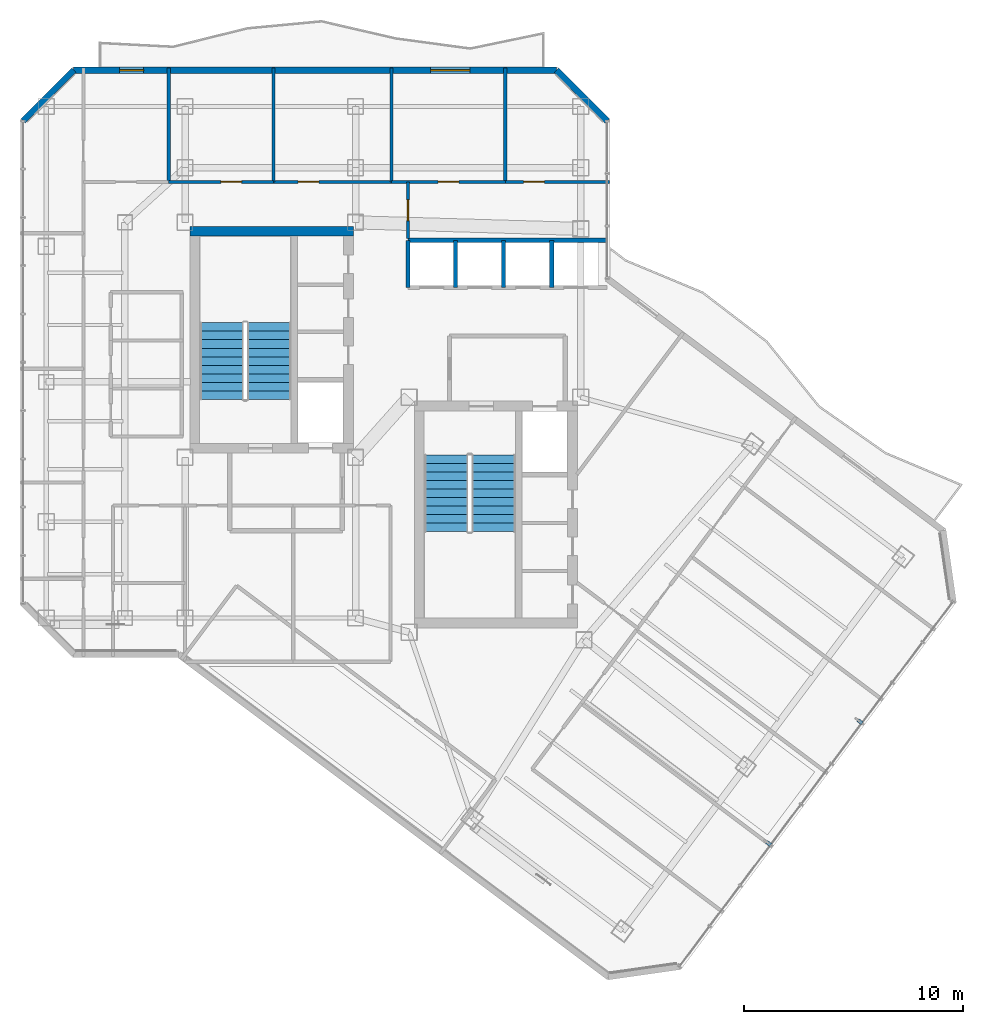
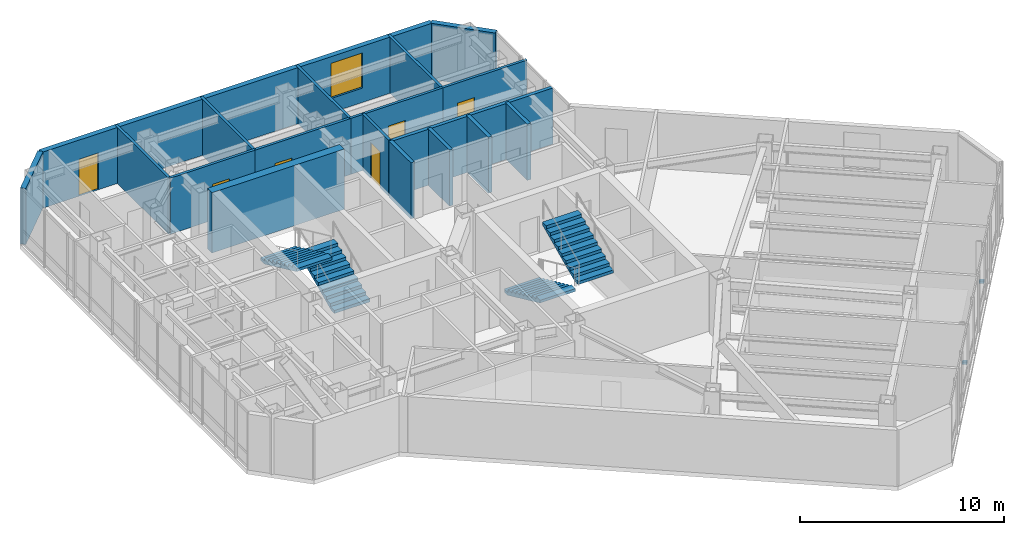
# One storey, part 22 of 26: 18 walls, 6 doors, 4 stair flights, 2 discrete accessories, 1 window, 7 openings, 2 elements without a shape of their own.
"""IFC4 building model written with IfcOpenShell, lengths in metres."""

from ifc_helpers import new_model, si_unit, direction, frame, frame_2d, origin, origin_2d, place, context, subcontext, project, spatial, polyline, rectangle, outline, extrude, material, layer, layer_set, type_object, element, fill, aggregate, save


model = new_model("IFC4")

# Units and contexts
model_context = context("Model", 3, precision=1e-05, world=origin(), true_north=direction((0.0, 1.0)))
body_context = subcontext(model_context, "Body", "Model", "MODEL_VIEW")
ifc_project = project(units=[si_unit("LENGTHUNIT", "METRE"), si_unit("AREAUNIT", "SQUARE_METRE"), si_unit("VOLUMEUNIT", "CUBIC_METRE"), si_unit("PLANEANGLEUNIT", "RADIAN"), si_unit("MASSUNIT", "GRAM", prefix="KILO")], contexts=[model_context])

# Site, building, storey
site_placement = place(None, origin())
site = spatial("IfcSite", under=ifc_project, at=site_placement, CompositionType="ELEMENT")
building_placement = place(site_placement, origin())
building = spatial("IfcBuilding", under=site, at=building_placement, Name="Hatsunagi Terrace Concourse", CompositionType="ELEMENT")
storey_placement = place(building_placement, frame((0.0, 0.0, 195.14990234375)))
storey = spatial("IfcBuildingStorey", under=building, at=storey_placement, Name="L51", CompositionType="ELEMENT", Elevation=195.14990234375)

# Walls
ifc_material_1 = material(Name="Concrete Fc42", Category="concrete")
ifc_layer_1 = layer(ifc_material_1, 0.449951171875)
ifc_layer_set_1 = layer_set([ifc_layer_1], Name="CoreShearWall_Fc42_450")
wall_type_1 = type_object("IfcWallType", Name="CoreShearWall_Fc42_450", PredefinedType="SHEAR", material=ifc_layer_set_1)
wall_1_placement = place(storey_placement, frame((25.77001953125, 42.89501953125, 0.0), z_axis=(0.0, 0.0, 1.0), x_axis=(1.0, 0.0, 0.0)))
element("IfcWall", 1, at=wall_1_placement, inside=storey, type_object=wall_type_1, Name="Core A Shear Wall N L51", PredefinedType="SHEAR", context=body_context, shape_type="SweptSolid", body=[
    extrude(rectangle(XDim=7.47998046875, YDim=0.449951171875, at=frame_2d((3.739990234375, 0.0))), origin(), (0.0, 0.0, 1.0), 3.60009765625),
])
ifc_material_2 = material(Name="Acoustic mineral board", Category="gypsum")
ifc_layer_2 = layer(ifc_material_2, 0.14990234375)
ifc_layer_set_2 = layer_set([ifc_layer_2], Name="PartitionWall_EI60_150")
wall_type_2 = type_object("IfcWallType", Name="PartitionWall_EI60_150", PredefinedType="PARTITIONING", material=ifc_layer_set_2)
wall_2_placement = place(storey_placement, frame((24.800048828125, 45.14990234375, 0.0), z_axis=(0.0, 0.0, 1.0), x_axis=(0.0, 1.0, 0.0)))
element("IfcWall", 2, at=wall_2_placement, inside=storey, type_object=wall_type_2, Name="Interior Partition IW-L51-044", PredefinedType="PARTITIONING", context=body_context, shape_type="SweptSolid", body=[
    extrude(rectangle(XDim=5.210205078125, YDim=0.14990234375, at=frame_2d((2.60498046875, 0.0))), origin(), (0.0, 0.0, 1.0), 3.35009765625),
])

# Wall, opening, door
wall_3_placement = place(storey_placement, frame((24.800048828125, 45.14990234375, 0.0), z_axis=(0.0, 0.0, 1.0), x_axis=(1.0, 0.0, 0.0)))
wall_3 = element("IfcWall", 3, at=wall_3_placement, inside=storey, type_object=wall_type_2, Name="Interior Partition IW-L51-045", PredefinedType="PARTITIONING", context=body_context, shape_type="SweptSolid", body=[
    extrude(rectangle(XDim=4.800048828125, YDim=0.14990234375, at=frame_2d((2.39990234375, 0.0))), origin(), (0.0, 0.0, 1.0), 3.35009765625),
])
opening_1_placement = place(wall_3_placement, frame((2.388916015625, 0.0, 0.0)))
opening_1 = element("IfcOpeningElement", 4, at=opening_1_placement, cuts=wall_3, Name="Opening DR-095", PredefinedType="OPENING", context=body_context, shape_type="SweptSolid", body=[
    extrude(rectangle(XDim=0.949951171875, YDim=2.14990234375, at=frame_2d((0.47509765625, 1.074951171875))), frame((0.0, 0.0849609375, 0.0), z_axis=(0.0, -1.0, 0.0), x_axis=(1.0, 0.0, 0.0)), (0.0, 0.0, 1.0), 0.169921875),
])
ifc_material_3 = material(Name="Hardwood timber", Category="wood")
door_type_1 = type_object("IfcDoorType", Name="InteriorSuiteDoor_EI30_950", OperationType="NOTDEFINED", PredefinedType="DOOR", material=ifc_material_3)
door_1_placement = place(opening_1_placement, origin())
door_1 = element("IfcDoor", 5, at=door_1_placement, inside=storey, type_object=door_type_1, Name="Breakout Pantry L51-ON2 Door", OperationType="SINGLE_SWING_RIGHT", OverallHeight=2.14990234375, OverallWidth=0.949951171875, PredefinedType="DOOR", context=body_context, shape_type="SweptSolid", body=[
    extrude(rectangle(XDim=0.949951171875, YDim=2.14990234375, at=frame_2d((0.47509765625, 1.074951171875))), frame((0.0, 0.02490234375, 0.0), z_axis=(0.0, -1.0, 0.0), x_axis=(1.0, 0.0, 0.0)), (0.0, 0.0, 1.0), 0.050048828125),
])
fill(opening_1, door_1)

# Wall
wall_4_placement = place(storey_placement, frame((29.60009765625, 45.14990234375, 0.0), z_axis=(0.0, 0.0, 1.0), x_axis=(0.0, 1.0, 0.0)))
element("IfcWall", 6, at=wall_4_placement, inside=storey, type_object=wall_type_2, Name="Interior Partition IW-L51-046", PredefinedType="PARTITIONING", context=body_context, shape_type="SweptSolid", body=[
    extrude(rectangle(XDim=5.210205078125, YDim=0.14990234375, at=frame_2d((2.60498046875, 0.0))), origin(), (0.0, 0.0, 1.0), 3.35009765625),
])

# Wall, opening, door
wall_5_placement = place(storey_placement, frame((29.60009765625, 45.14990234375, 0.0), z_axis=(0.0, 0.0, 1.0), x_axis=(1.0, 0.0, 0.0)))
wall_5 = element("IfcWall", 7, at=wall_5_placement, inside=storey, type_object=wall_type_2, Name="Interior Partition IW-L51-047", PredefinedType="PARTITIONING", context=body_context, shape_type="SweptSolid", body=[
    extrude(rectangle(XDim=5.39990234375, YDim=0.14990234375, at=frame_2d((2.699951171875, 0.0))), origin(), (0.0, 0.0, 1.0), 3.35009765625),
])
opening_2_placement = place(wall_5_placement, frame((1.117919921875, 0.0, 0.0)))
opening_2 = element("IfcOpeningElement", 8, at=opening_2_placement, cuts=wall_5, Name="Opening DR-095", PredefinedType="OPENING", context=body_context, shape_type="SweptSolid", body=[
    extrude(rectangle(XDim=0.949951171875, YDim=2.14990234375, at=frame_2d((0.47509765625, 1.074951171875))), frame((0.0, 0.0849609375, 0.0), z_axis=(0.0, -1.0, 0.0), x_axis=(1.0, 0.0, 0.0)), (0.0, 0.0, 1.0), 0.169921875),
])
door_2_placement = place(opening_2_placement, origin())
door_2 = element("IfcDoor", 9, at=door_2_placement, inside=storey, type_object=door_type_1, Name="Executive Briefing Room L51-ON3 Door", OperationType="SINGLE_SWING_RIGHT", OverallHeight=2.14990234375, OverallWidth=0.949951171875, PredefinedType="DOOR", context=body_context, shape_type="SweptSolid", body=[
    extrude(rectangle(XDim=0.949951171875, YDim=2.14990234375, at=frame_2d((0.47509765625, 1.074951171875))), frame((0.0, 0.02490234375, 0.0), z_axis=(0.0, -1.0, 0.0), x_axis=(1.0, 0.0, 0.0)), (0.0, 0.0, 1.0), 0.050048828125),
])
fill(opening_2, door_2)

# Wall
wall_6_placement = place(storey_placement, frame((35.0, 45.14990234375, 0.0), z_axis=(0.0, 0.0, 1.0), x_axis=(0.0, 1.0, 0.0)))
element("IfcWall", 10, at=wall_6_placement, inside=storey, type_object=wall_type_2, Name="Interior Partition IW-L51-048", PredefinedType="PARTITIONING", context=body_context, shape_type="SweptSolid", body=[
    extrude(rectangle(XDim=5.210205078125, YDim=0.14990234375, at=frame_2d((2.60498046875, 0.0))), origin(), (0.0, 0.0, 1.0), 3.35009765625),
])

# Wall, opening, door
wall_7_placement = place(storey_placement, frame((35.0, 45.14990234375, 0.0), z_axis=(0.0, 0.0, 1.0), x_axis=(1.0, 0.0, 0.0)))
wall_7 = element("IfcWall", 11, at=wall_7_placement, inside=storey, type_object=wall_type_2, Name="Interior Partition IW-L51-049", PredefinedType="PARTITIONING", context=body_context, shape_type="SweptSolid", body=[
    extrude(rectangle(XDim=5.199951171875, YDim=0.14990234375, at=frame_2d((2.60009765625, 0.0))), origin(), (0.0, 0.0, 1.0), 3.35009765625),
])
opening_3_placement = place(wall_7_placement, frame((2.125, 0.0, 0.0)))
opening_3 = element("IfcOpeningElement", 12, at=opening_3_placement, cuts=wall_7, Name="Opening DR-095", PredefinedType="OPENING", context=body_context, shape_type="SweptSolid", body=[
    extrude(rectangle(XDim=0.949951171875, YDim=2.14990234375, at=frame_2d((0.47509765625, 1.074951171875))), frame((0.0, 0.0849609375, 0.0), z_axis=(0.0, -1.0, 0.0), x_axis=(1.0, 0.0, 0.0)), (0.0, 0.0, 1.0), 0.169921875),
])
door_3_placement = place(opening_3_placement, origin())
door_3 = element("IfcDoor", 13, at=door_3_placement, inside=storey, type_object=door_type_1, Name="Breakout Pantry L51-ON4 Door", OperationType="SINGLE_SWING_RIGHT", OverallHeight=2.14990234375, OverallWidth=0.949951171875, PredefinedType="DOOR", context=body_context, shape_type="SweptSolid", body=[
    extrude(rectangle(XDim=0.949951171875, YDim=2.14990234375, at=frame_2d((0.47509765625, 1.074951171875))), frame((0.0, 0.02490234375, 0.0), z_axis=(0.0, -1.0, 0.0), x_axis=(1.0, 0.0, 0.0)), (0.0, 0.0, 1.0), 0.050048828125),
])
fill(opening_3, door_3)

# Wall
wall_8_placement = place(storey_placement, frame((40.199951171875, 45.14990234375, 0.0), z_axis=(0.0, 0.0, 1.0), x_axis=(0.0, 1.0, 0.0)))
element("IfcWall", 14, at=wall_8_placement, inside=storey, type_object=wall_type_2, Name="Interior Partition IW-L51-050", PredefinedType="PARTITIONING", context=body_context, shape_type="SweptSolid", body=[
    extrude(rectangle(XDim=5.210205078125, YDim=0.14990234375, at=frame_2d((2.60498046875, 0.0))), origin(), (0.0, 0.0, 1.0), 3.35009765625),
])

# Wall, opening, door
wall_9_placement = place(storey_placement, frame((40.199951171875, 45.14990234375, 0.0), z_axis=(0.0, 0.0, 1.0), x_axis=(1.0, 0.0, 0.0)))
wall_9 = element("IfcWall", 15, at=wall_9_placement, inside=storey, type_object=wall_type_2, Name="Interior Partition IW-L51-051", PredefinedType="PARTITIONING", context=body_context, shape_type="SweptSolid", body=[
    extrude(rectangle(XDim=4.760009765625, YDim=0.14990234375, at=frame_2d((2.3798828125, 0.0))), origin(), (0.0, 0.0, 1.0), 3.35009765625),
])
opening_4_placement = place(wall_9_placement, frame((0.8369140625, 0.0, 0.0)))
opening_4 = element("IfcOpeningElement", 16, at=opening_4_placement, cuts=wall_9, Name="Opening DR-095", PredefinedType="OPENING", context=body_context, shape_type="SweptSolid", body=[
    extrude(rectangle(XDim=0.949951171875, YDim=2.14990234375, at=frame_2d((0.47509765625, 1.074951171875))), frame((0.0, 0.0849609375, 0.0), z_axis=(0.0, -1.0, 0.0), x_axis=(1.0, 0.0, 0.0)), (0.0, 0.0, 1.0), 0.169921875),
])
door_4_placement = place(opening_4_placement, origin())
door_4 = element("IfcDoor", 17, at=door_4_placement, inside=storey, type_object=door_type_1, Name="Executive Briefing Room L51-ON5 Door", OperationType="SINGLE_SWING_RIGHT", OverallHeight=2.14990234375, OverallWidth=0.949951171875, PredefinedType="DOOR", context=body_context, shape_type="SweptSolid", body=[
    extrude(rectangle(XDim=0.949951171875, YDim=2.14990234375, at=frame_2d((0.47509765625, 1.074951171875))), frame((0.0, 0.02490234375, 0.0), z_axis=(0.0, -1.0, 0.0), x_axis=(1.0, 0.0, 0.0)), (0.0, 0.0, 1.0), 0.050048828125),
])
fill(opening_4, door_4)

wall_10_placement = place(storey_placement, frame((35.75, 42.550048828125, 0.0), z_axis=(0.0, 0.0, 1.0), x_axis=(0.0, 1.0, 0.0)))
wall_10 = element("IfcWall", 18, at=wall_10_placement, inside=storey, type_object=wall_type_2, Name="Interior Partition IW-L51-068", PredefinedType="PARTITIONING", context=body_context, shape_type="SweptSolid", body=[
    extrude(rectangle(XDim=2.599853515625, YDim=0.14990234375, at=frame_2d((1.2998046875, 0.0))), origin(), (0.0, 0.0, 1.0), 3.35009765625),
])
opening_5_placement = place(wall_10_placement, frame((0.824951171875, 0.0, 0.0)))
opening_5 = element("IfcOpeningElement", 19, at=opening_5_placement, cuts=wall_10, Name="Opening DR-095", PredefinedType="OPENING", context=body_context, shape_type="SweptSolid", body=[
    extrude(rectangle(XDim=0.949951171875, YDim=2.14990234375, at=frame_2d((0.47509765625, 1.074951171875))), frame((0.0, 0.0849609375, 0.0), z_axis=(0.0, -1.0, 0.0), x_axis=(1.0, 0.0, 0.0)), (0.0, 0.0, 1.0), 0.169921875),
])
door_5_placement = place(opening_5_placement, origin())
door_5 = element("IfcDoor", 20, at=door_5_placement, inside=storey, type_object=door_type_1, Name="Executive Briefing Room L51-ONEB Door", OperationType="SINGLE_SWING_RIGHT", OverallHeight=2.14990234375, OverallWidth=0.949951171875, PredefinedType="DOOR", context=body_context, shape_type="SweptSolid", body=[
    extrude(rectangle(XDim=0.949951171875, YDim=2.14990234375, at=frame_2d((0.47509765625, 1.074951171875))), frame((0.0, 0.02490234375, 0.0), z_axis=(0.0, -1.0, 0.0), x_axis=(1.0, 0.0, 0.0)), (0.0, 0.0, 1.0), 0.050048828125),
])
fill(opening_5, door_5)

# Walls
ifc_material_4 = material(Name="Acoustic mineral board", Category="gypsum")
ifc_layer_3 = layer(ifc_material_4, 0.199951171875)
ifc_layer_set_3 = layer_set([ifc_layer_3], Name="ShaftWall_EI120_200")
wall_type_3 = type_object("IfcWallType", Name="ShaftWall_EI120_200", PredefinedType="STANDARD", material=ifc_layer_set_3)
wall_11_placement = place(storey_placement, frame((35.75, 42.47998046875, 0.0), z_axis=(0.0, 0.0, 1.0), x_axis=(1.0, 0.0, 0.0)))
element("IfcWall", 21, at=wall_11_placement, inside=storey, type_object=wall_type_3, Name="Interior Partition IW-L51-013", PredefinedType="STANDARD", context=body_context, shape_type="SweptSolid", body=[
    extrude(rectangle(XDim=9.110107421875, YDim=0.199951171875, at=frame_2d((4.55517578125, 0.0))), origin(), (0.0, 0.0, 1.0), 3.35009765625),
])
for number, where, z_axis, x_axis, name in (
    (22, (35.75, 40.320068359375, 0.0), (0.0, 0.0, 1.0), (0.0, 1.0, 0.0), "Interior Partition IW-L51-014"),
    (23, (37.919921875, 40.320068359375, 0.0), (0.0, 0.0, 1.0), (0.0, 1.0, 0.0), "Interior Partition IW-L51-015"),
    (24, (40.1201171875, 40.320068359375, 0.0), (0.0, 0.0, 1.0), (0.0, 1.0, 0.0), "Interior Partition IW-L51-016"),
    (25, (42.320068359375, 40.320068359375, 0.0), (0.0, 0.0, 1.0), (0.0, 1.0, 0.0), "Interior Partition IW-L51-017"),
):
    element("IfcWall", number, at=place(storey_placement, frame(where, z_axis=z_axis, x_axis=x_axis)), inside=storey, type_object=wall_type_3, Name=name, PredefinedType="STANDARD", context=body_context, shape_type="SweptSolid", body=[
        extrude(rectangle(XDim=2.159912109375, YDim=0.199951171875, at=frame_2d((1.080078125, 0.0))), origin(), (0.0, 0.0, 1.0), 3.35009765625),
    ])
ifc_material_5 = material(Name="Autoclaved Lightweight Concrete and Terracotta Cladding", Category="masonry")
ifc_layer_4 = layer(ifc_material_5, 0.280029296875)
ifc_layer_set_4 = layer_set([ifc_layer_4], Name="TerracottaSpandrelWall_280")
wall_type_4 = type_object("IfcWallType", Name="TerracottaSpandrelWall_280", PredefinedType="STANDARD", material=ifc_layer_set_4)
wall_12_placement = place(storey_placement, frame((18.139892578125, 47.94189453125, 0.0), z_axis=(0.0, 0.0, 1.0), x_axis=(0.707106781187, 0.707106781187, 0.0)))
element("IfcWall", 26, at=wall_12_placement, inside=storey, type_object=wall_type_4, Name="Exterior Spandrel Wall EW-L51-09", PredefinedType="STANDARD", context=body_context, shape_type="SweptSolid", body=[
    extrude(rectangle(XDim=3.2783203125, YDim=0.280029296875, at=frame_2d((1.63916015625, 0.0))), origin(), (0.0, 0.0, 1.0), 3.35009765625),
])

# Wall, openings, door, window
wall_13_placement = place(storey_placement, frame((20.4580078125, 50.260009765625, 0.0), z_axis=(0.0, 0.0, 1.0), x_axis=(1.0, 0.0, 0.0)))
wall_13 = element("IfcWall", 27, at=wall_13_placement, inside=storey, type_object=wall_type_4, Name="Exterior Spandrel Wall EW-L51-10", PredefinedType="STANDARD", context=body_context, shape_type="SweptSolid", body=[
    extrude(rectangle(XDim=22.083984375, YDim=0.280029296875, at=frame_2d((11.0419921875, 0.0))), origin(), (0.0, 0.0, 1.0), 3.35009765625),
])
opening_6_placement = place(wall_13_placement, frame((2.10009765625, 0.0, 0.0)))
opening_6 = element("IfcOpeningElement", 28, at=opening_6_placement, cuts=wall_13, Name="Opening BD-01", PredefinedType="OPENING", context=body_context, shape_type="SweptSolid", body=[
    extrude(rectangle(XDim=1.10009765625, YDim=2.199951171875, at=frame_2d((0.550048828125, 1.10009765625))), frame((0.0, 0.14990234375, 0.0), z_axis=(0.0, -1.0, 0.0), x_axis=(1.0, 0.0, 0.0)), (0.0, 0.0, 1.0), 0.300048828125),
])
opening_7_placement = place(wall_13_placement, frame((16.325927734375, 0.0, 0.85009765625)))
opening_7 = element("IfcOpeningElement", 29, at=opening_7_placement, cuts=wall_13, Name="Opening WIN-03", PredefinedType="OPENING", context=body_context, shape_type="SweptSolid", body=[
    extrude(rectangle(XDim=1.800048828125, YDim=2.10009765625, at=frame_2d((0.89990234375, 1.050048828125))), frame((0.0, 0.14990234375, 0.0), z_axis=(0.0, -1.0, 0.0), x_axis=(1.0, 0.0, 0.0)), (0.0, 0.0, 1.0), 0.300048828125),
])
ifc_material_6 = material(Name="Galvanised Steel and Laminated Safety Glass", Category="steel")
door_type_2 = type_object("IfcDoorType", Name="BalconyTerraceAccessDoor_1100x2200", OperationType="SINGLE_SWING_LEFT", PredefinedType="DOOR", material=ifc_material_6)
door_6_placement = place(opening_6_placement, origin())
door_6 = element("IfcDoor", 30, at=door_6_placement, inside=storey, type_object=door_type_2, Name="Engawa Balcony Door L51-BN", OperationType="SINGLE_SWING_RIGHT", OverallHeight=2.199951171875, OverallWidth=1.10009765625, PredefinedType="DOOR", context=body_context, shape_type="SweptSolid", body=[
    extrude(rectangle(XDim=1.10009765625, YDim=2.199951171875, at=frame_2d((0.550048828125, 1.10009765625))), frame((0.0, 0.02490234375, 0.0), z_axis=(0.0, -1.0, 0.0), x_axis=(1.0, 0.0, 0.0)), (0.0, 0.0, 1.0), 0.050048828125),
])
fill(opening_6, door_6)
ifc_material_7 = material(Name="Thermally Broken Aluminium and Low-E Triple Glazing", Category="aluminium")
window_type = type_object("IfcWindowType", Name="OfficeCornerFeatureWindow_1800x2100", PartitioningType="SINGLE_PANEL", PredefinedType="WINDOW", material=ifc_material_7)
window_placement = place(opening_7_placement, origin())
window = element("IfcWindow", 31, at=window_placement, inside=storey, type_object=window_type, Name="Balcony Daylighting Window L51-10-1", OverallHeight=2.10009765625, OverallWidth=1.800048828125, PartitioningType="SINGLE_PANEL", PredefinedType="WINDOW", context=body_context, shape_type="SweptSolid", body=[
    extrude(rectangle(XDim=1.800048828125, YDim=2.10009765625, at=frame_2d((0.89990234375, 1.050048828125))), frame((0.0, 0.030029296875, 0.0), z_axis=(0.0, -1.0, 0.0), x_axis=(1.0, 0.0, 0.0)), (0.0, 0.0, 1.0), 0.06005859375),
])
fill(opening_7, window)

# Wall
wall_14_placement = place(storey_placement, frame((42.5419921875, 50.260009765625, 0.0), z_axis=(0.0, 0.0, 1.0), x_axis=(0.707106781187, -0.707106781187, 0.0)))
element("IfcWall", 32, at=wall_14_placement, inside=storey, type_object=wall_type_4, Name="Exterior Spandrel Wall EW-L51-11", PredefinedType="STANDARD", context=body_context, shape_type="SweptSolid", body=[
    extrude(rectangle(XDim=3.2783203125, YDim=0.280029296875, at=frame_2d((1.63916015625, 0.0))), origin(), (0.0, 0.0, 1.0), 3.35009765625),
])

# Stair, stair flights
ifc_material_8 = material(Name="Concrete Fc42", Category="concrete")
stair_type = type_object("IfcStairType", Name="DoglegExitStair_Tower2000_20R_180", PredefinedType="HALF_TURN_STAIR", material=ifc_material_8)
stair_1_placement = place(storey_placement, origin())
stair_1 = element("IfcStair", 33, at=stair_1_placement, inside=storey, type_object=stair_type, Name="L51 Core A Protected Exit Stair ST-A", PredefinedType="HALF_TURN_STAIR")
ifc_material_9 = material(Name="Concrete Fc42", Category="concrete")
stair_flight_type = type_object("IfcStairFlightType", Name="DoglegStairFlight_Tower2000_20R_180", PredefinedType="STRAIGHT", material=ifc_material_9)
stair_flight_1_placement = place(storey_placement, frame((29.3798828125, 35.199951171875, 0.0), z_axis=(0.0, 0.0, 1.0), x_axis=(0.0, 1.0, 0.0)))
stair_flight_1 = element("IfcStairFlight", 34, at=stair_flight_1_placement, type_object=stair_flight_type, Name="ST-A flight 1", NumberOfRisers=10, NumberOfTreads=9, PredefinedType="STRAIGHT", RiserHeight=0.18, TreadLength=0.39, context=body_context, shape_type="SweptSolid", body=[
    extrude(outline(polyline([(0.0, 0.0), (0.0, 0.179931640625), (0.389892578125, 0.179931640625), (0.389892578125, 0.360107421875), (0.780029296875, 0.360107421875), (0.780029296875, 0.5400390625), (1.169921875, 0.5400390625), (1.169921875, 0.719970703125), (1.56005859375, 0.719970703125), (1.56005859375, 0.89990234375), (1.949951171875, 0.89990234375), (1.949951171875, 1.080078125), (2.340087890625, 1.080078125), (2.340087890625, 1.260009765625), (2.72998046875, 1.260009765625), (2.72998046875, 1.43994140625), (3.1201171875, 1.43994140625), (3.1201171875, 1.6201171875), (3.510009765625, 1.6201171875), (3.510009765625, 1.800048828125), (3.510009765625, 1.454833984375), (0.357666015625, 0.0), (0.0, 0.0)])), frame((0.0, 1.0, 0.0), z_axis=(0.0, -1.0, 0.0), x_axis=(1.0, 0.0, 0.0)), (0.0, 0.0, 1.0), 2.0),
])
stair_flight_2_placement = place(storey_placement, frame((27.22998046875, 38.7099609375, 1.800048828125), z_axis=(0.0, 0.0, 1.0), x_axis=(0.0, -1.0, 0.0)))
stair_flight_2 = element("IfcStairFlight", 35, at=stair_flight_2_placement, type_object=stair_flight_type, Name="ST-A flight 2", NumberOfRisers=10, NumberOfTreads=9, PredefinedType="STRAIGHT", RiserHeight=0.18, TreadLength=0.39, context=body_context, shape_type="SweptSolid", body=[
    extrude(outline(polyline([(0.0, 0.0), (0.0, 0.179931640625), (0.389892578125, 0.179931640625), (0.389892578125, 0.360107421875), (0.780029296875, 0.360107421875), (0.780029296875, 0.5400390625), (1.169921875, 0.5400390625), (1.169921875, 0.719970703125), (1.56005859375, 0.719970703125), (1.56005859375, 0.89990234375), (1.949951171875, 0.89990234375), (1.949951171875, 1.080078125), (2.340087890625, 1.080078125), (2.340087890625, 1.260009765625), (2.72998046875, 1.260009765625), (2.72998046875, 1.43994140625), (3.1201171875, 1.43994140625), (3.1201171875, 1.6201171875), (3.510009765625, 1.6201171875), (3.510009765625, 1.800048828125), (3.510009765625, 1.454833984375), (0.357666015625, 0.0), (0.0, 0.0)])), frame((0.0, 1.0, 0.0), z_axis=(0.0, -1.0, 0.0), x_axis=(1.0, 0.0, 0.0)), (0.0, 0.0, 1.0), 2.0),
])
aggregate(stair_1, [stair_flight_1, stair_flight_2])

stair_2_placement = place(storey_placement, origin())
stair_2 = element("IfcStair", 36, at=stair_2_placement, inside=storey, type_object=stair_type, Name="L51 Core B Protected Exit Stair ST-B", PredefinedType="HALF_TURN_STAIR")
stair_flight_3_placement = place(storey_placement, frame((37.5, 32.659912109375, 0.0), z_axis=(0.0, 0.0, 1.0), x_axis=(0.0, -1.0, 0.0)))
stair_flight_3 = element("IfcStairFlight", 37, at=stair_flight_3_placement, type_object=stair_flight_type, Name="ST-B flight 1", NumberOfRisers=10, NumberOfTreads=9, PredefinedType="STRAIGHT", RiserHeight=0.18, TreadLength=0.39, context=body_context, shape_type="SweptSolid", body=[
    extrude(outline(polyline([(0.0, 0.0), (0.0, 0.179931640625), (0.389892578125, 0.179931640625), (0.389892578125, 0.360107421875), (0.780029296875, 0.360107421875), (0.780029296875, 0.5400390625), (1.169921875, 0.5400390625), (1.169921875, 0.719970703125), (1.56005859375, 0.719970703125), (1.56005859375, 0.89990234375), (1.949951171875, 0.89990234375), (1.949951171875, 1.080078125), (2.340087890625, 1.080078125), (2.340087890625, 1.260009765625), (2.72998046875, 1.260009765625), (2.72998046875, 1.43994140625), (3.1201171875, 1.43994140625), (3.1201171875, 1.6201171875), (3.510009765625, 1.6201171875), (3.510009765625, 1.800048828125), (3.510009765625, 1.454833984375), (0.357666015625, 0.0), (0.0, 0.0)])), frame((0.0, 1.0, 0.0), z_axis=(0.0, -1.0, 0.0), x_axis=(1.0, 0.0, 0.0)), (0.0, 0.0, 1.0), 2.0),
])
stair_flight_4_placement = place(storey_placement, frame((39.64990234375, 29.14990234375, 1.800048828125), z_axis=(0.0, 0.0, 1.0), x_axis=(0.0, 1.0, 0.0)))
stair_flight_4 = element("IfcStairFlight", 38, at=stair_flight_4_placement, type_object=stair_flight_type, Name="ST-B flight 2", NumberOfRisers=10, NumberOfTreads=9, PredefinedType="STRAIGHT", RiserHeight=0.18, TreadLength=0.39, context=body_context, shape_type="SweptSolid", body=[
    extrude(outline(polyline([(0.0, 0.0), (0.0, 0.179931640625), (0.389892578125, 0.179931640625), (0.389892578125, 0.360107421875), (0.780029296875, 0.360107421875), (0.780029296875, 0.5400390625), (1.169921875, 0.5400390625), (1.169921875, 0.719970703125), (1.56005859375, 0.719970703125), (1.56005859375, 0.89990234375), (1.949951171875, 0.89990234375), (1.949951171875, 1.080078125), (2.340087890625, 1.080078125), (2.340087890625, 1.260009765625), (2.72998046875, 1.260009765625), (2.72998046875, 1.43994140625), (3.1201171875, 1.43994140625), (3.1201171875, 1.6201171875), (3.510009765625, 1.6201171875), (3.510009765625, 1.800048828125), (3.510009765625, 1.454833984375), (0.357666015625, 0.0), (0.0, 0.0)])), frame((0.0, 1.0, 0.0), z_axis=(0.0, -1.0, 0.0), x_axis=(1.0, 0.0, 0.0)), (0.0, 0.0, 1.0), 2.0),
])
aggregate(stair_2, [stair_flight_3, stair_flight_4])

# Discrete accessories
ifc_material_10 = material(Name="Stainless Steel SUS316 Bracket", Category="steel")
discrete_accessory_type = type_object("IfcDiscreteAccessoryType", Name="FacadeScreenSupportBracket_SS", PredefinedType="BRACKET", material=ifc_material_10)
for number, where, z_axis, x_axis, name in (
    (39, (56.427978515625, 20.455078125, 0.97021484375), (0.0, 0.0, 1.0), (-0.599969314634, -0.800023013105, 0.0), "Terracotta Screen Bracket BRK-01"),
    (40, (52.251953125, 14.885009765625, 0.97021484375), (0.0, 0.0, 1.0), (-0.599969314634, -0.800023013105, 0.0), "Terracotta Screen Bracket BRK-01"),
):
    element("IfcDiscreteAccessory", number, at=place(storey_placement, frame(where, z_axis=z_axis, x_axis=x_axis)), inside=storey, type_object=discrete_accessory_type, Name=name, PredefinedType="BRACKET", context=body_context, shape_type="SweptSolid", body=[
        extrude(rectangle(XDim=0.159912109375, YDim=0.239990234375, at=origin_2d()), origin(), (0.0, 0.0, 1.0), 0.159912109375),
    ])

save(model, "model.ifc")
